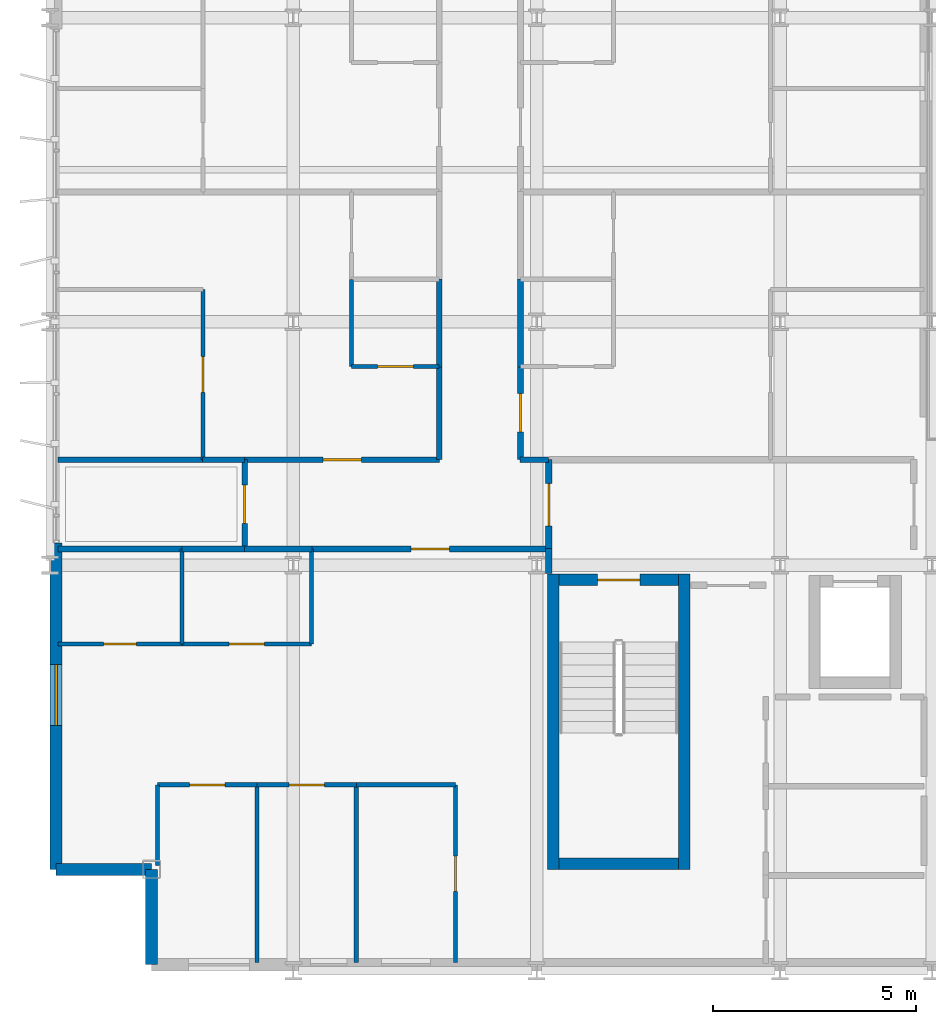
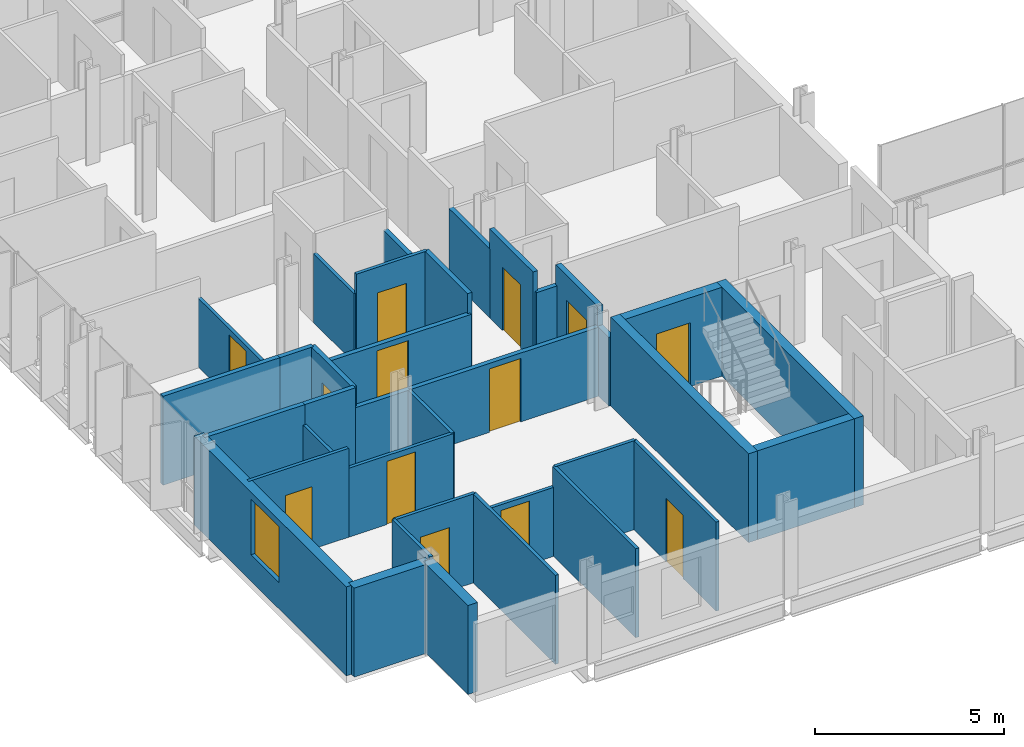
# One storey, part 27 of 39: 36 walls, 13 doors, 1 window, 14 openings.
"""IFC4 building model written with IfcOpenShell, lengths in metres."""

from ifc_helpers import new_model, si_unit, direction, frame, frame_2d, origin, place, context, subcontext, project, spatial, rectangle, extrude, material, layer, layer_set, type_object, element, fill, save


model = new_model("IFC4")

# Units and contexts
model_context = context("Model", 3, precision=1e-05, world=origin(), true_north=direction((0.0, 1.0)))
body_context = subcontext(model_context, "Body", "Model", "MODEL_VIEW")
ifc_project = project(units=[si_unit("LENGTHUNIT", "METRE"), si_unit("AREAUNIT", "SQUARE_METRE"), si_unit("VOLUMEUNIT", "CUBIC_METRE"), si_unit("PLANEANGLEUNIT", "RADIAN"), si_unit("MASSUNIT", "GRAM", prefix="KILO")], contexts=[model_context])

# Site, building, storey
site_placement = place(None, origin())
site = spatial("IfcSite", under=ifc_project, at=site_placement, CompositionType="ELEMENT")
building_placement = place(site_placement, origin())
building = spatial("IfcBuilding", under=site, at=building_placement, Name="Brevholm Reach", CompositionType="ELEMENT")
storey_placement = place(building_placement, frame((0.0, 0.0, 77.60009765625)))
storey = spatial("IfcBuildingStorey", under=building, at=storey_placement, Name="L22", CompositionType="ELEMENT", Elevation=77.60009765625)

# Walls
ifc_material_1 = material(Name="Concrete C50/60", Category="concrete")
ifc_layer_1 = layer(ifc_material_1, 0.280029296875)
ifc_layer_set_1 = layer_set([ifc_layer_1], Name="Concrete C50/60")
wall_type_1 = type_object("IfcWallType", Name="WAL-COR-280", PredefinedType="SHEAR", material=ifc_layer_set_1)
for number, where, z_axis, x_axis, name in (
    (1, (12.409912109375, 2.5, 0.0), (0.0, 0.0, 1.0), (0.0, 1.0, 0.0), "L22 Escape Stair ST-1 Core Wall W"),
    (2, (15.639892578125, 2.5, 0.0), (0.0, 0.0, 1.0), (0.0, 1.0, 0.0), "L22 Escape Stair ST-1 Core Wall E"),
):
    element("IfcWall", number, at=place(storey_placement, frame(where, z_axis=z_axis, x_axis=x_axis)), inside=storey, type_object=wall_type_1, Name=name, PredefinedType="SHEAR", context=body_context, shape_type="SweptSolid", body=[
        extrude(rectangle(XDim=7.280029296875, YDim=0.280029296875, at=frame_2d((3.64013671875, 0.0))), origin(), (0.0, 0.0, 1.0), 2.869873046875),
    ])
wall_1_placement = place(storey_placement, frame((12.550048828125, 2.639892578125, 0.0), z_axis=(0.0, 0.0, 1.0), x_axis=(1.0, 0.0, 0.0)))
element("IfcWall", 3, at=wall_1_placement, inside=storey, type_object=wall_type_1, Name="L22 Escape Stair ST-1 Core Wall S", PredefinedType="SHEAR", context=body_context, shape_type="SweptSolid", body=[
    extrude(rectangle(XDim=2.949951171875, YDim=0.280029296875, at=frame_2d((1.47509765625, 0.0))), origin(), (0.0, 0.0, 1.0), 2.869873046875),
])

# Wall, opening, door
wall_2_placement = place(storey_placement, frame((15.5, 9.639892578125, 0.0), z_axis=(0.0, 0.0, 1.0), x_axis=(-1.0, 0.0, 0.0)))
wall_2 = element("IfcWall", 4, at=wall_2_placement, inside=storey, type_object=wall_type_1, Name="L22 Escape Stair ST-1 Core Wall N", PredefinedType="SHEAR", context=body_context, shape_type="SweptSolid", body=[
    extrude(rectangle(XDim=2.949951171875, YDim=0.280029296875, at=frame_2d((1.47509765625, 0.0))), origin(), (0.0, 0.0, 1.0), 2.869873046875),
])
opening_1_placement = place(wall_2_placement, frame((0.949951171875, 0.0, 0.0)))
opening_1 = element("IfcOpeningElement", 5, at=opening_1_placement, cuts=wall_2, Name="Opening SD-ST-1", PredefinedType="OPENING", context=body_context, shape_type="SweptSolid", body=[
    extrude(rectangle(XDim=1.050048828125, YDim=2.06005859375, at=frame_2d((0.52490234375, 1.030029296875))), frame((0.0, 0.14990234375, 0.0), z_axis=(0.0, -1.0, 0.0), x_axis=(1.0, 0.0, 0.0)), (0.0, 0.0, 1.0), 0.300048828125),
])
ifc_material_2 = material(Name="Hardwood-Lipped Steel-Core Fire and Smoke Door", Category="steel")
door_type_1 = type_object("IfcDoorType", Name="DOR-INT-FD60S", OperationType="NOTDEFINED", PredefinedType="DOOR", material=ifc_material_2)
door_1_placement = place(opening_1_placement, origin())
door_1 = element("IfcDoor", 6, at=door_1_placement, inside=storey, type_object=door_type_1, Name="L22 Protected Stair ST-1 Lobby Door", OperationType="SINGLE_SWING_RIGHT", OverallHeight=2.06005859375, OverallWidth=1.050048828125, PredefinedType="DOOR", context=body_context, shape_type="SweptSolid", body=[
    extrude(rectangle(XDim=1.050048828125, YDim=2.06005859375, at=frame_2d((0.52490234375, 1.030029296875))), frame((0.0, 0.02490234375, 0.0), z_axis=(0.0, -1.0, 0.0), x_axis=(1.0, 0.0, 0.0)), (0.0, 0.0, 1.0), 0.050048828125),
])
fill(opening_1, door_1)

# Walls
ifc_material_3 = material(Name="Concrete C40/50", Category="concrete")
ifc_layer_2 = layer(ifc_material_3, 0.300048828125)
ifc_layer_set_2 = layer_set([ifc_layer_2], Name="Concrete C40/50")
wall_type_2 = type_object("IfcWallType", Name="WAL-EXT-300", PredefinedType="STANDARD", material=ifc_layer_set_2)
for number, where, z_axis, x_axis, name in (
    (7, (2.5, 2.5, 0.0), (0.0, 0.0, 1.0), (0.0, -1.0, 0.0), "L22 Facade Wall WAL-L22-CSW1"),
    (8, (0.14990234375, 2.5, 0.0), (0.0, 0.0, 1.0), (1.0, 0.0, 0.0), "L22 Facade Wall WAL-L22-CSW2"),
):
    element("IfcWall", number, at=place(storey_placement, frame(where, z_axis=z_axis, x_axis=x_axis)), inside=storey, type_object=wall_type_2, Name=name, PredefinedType="STANDARD", context=body_context, shape_type="SweptSolid", body=[
        extrude(rectangle(XDim=2.35009765625, YDim=0.300048828125, at=frame_2d((1.175048828125, 0.0))), origin(), (0.0, 0.0, 1.0), 2.869873046875),
    ])

# Wall, opening, window
wall_3_placement = place(storey_placement, frame((0.14990234375, 10.550048828125, 0.0), z_axis=(0.0, 0.0, 1.0), x_axis=(0.0, -1.0, 0.0)))
wall_3 = element("IfcWall", 9, at=wall_3_placement, inside=storey, type_object=wall_type_2, Name="L22 Facade Wall WAL-L22-W-S", PredefinedType="STANDARD", context=body_context, shape_type="SweptSolid", body=[
    extrude(rectangle(XDim=8.050048828125, YDim=0.300048828125, at=frame_2d((4.02490234375, 0.0))), origin(), (0.0, 0.0, 1.0), 2.869873046875),
])
opening_2_placement = place(wall_3_placement, frame((3.0, 0.0, 0.85009765625)))
opening_2 = element("IfcOpeningElement", 10, at=opening_2_placement, cuts=wall_3, Name="Opening WN-05", PredefinedType="OPENING", context=body_context, shape_type="SweptSolid", body=[
    extrude(rectangle(XDim=1.5, YDim=1.800048828125, at=frame_2d((0.75, 0.89990234375))), frame((0.0, 0.159912109375, 0.0), z_axis=(0.0, -1.0, 0.0), x_axis=(1.0, 0.0, 0.0)), (0.0, 0.0, 1.0), 0.320068359375),
])
ifc_material_4 = material(Name="Dark Anodised Aluminium and Solar-Control IGU Glass", Category="aluminium")
window_type = type_object("IfcWindowType", Name="WIN-RES-1500", PartitioningType="SINGLE_PANEL", PredefinedType="WINDOW", material=ifc_material_4)
window_placement = place(opening_2_placement, origin())
window = element("IfcWindow", 11, at=window_placement, inside=storey, type_object=window_type, Name="L22 Window WIN-L22-WS-1", OverallHeight=1.800048828125, OverallWidth=1.5, PartitioningType="SINGLE_PANEL", PredefinedType="WINDOW", context=body_context, shape_type="SweptSolid", body=[
    extrude(rectangle(XDim=1.5, YDim=1.800048828125, at=frame_2d((0.75, 0.89990234375))), frame((0.0, 0.030029296875, 0.0), z_axis=(0.0, -1.0, 0.0), x_axis=(1.0, 0.0, 0.0)), (0.0, 0.0, 1.0), 0.06005859375),
])
fill(opening_2, window)

# Wall
ifc_material_5 = material(Name="Moisture-Resistant Acoustic Gypsum Stud Partition 100 mm", Category="gypsum")
ifc_layer_3 = layer(ifc_material_5, 0.10009765625)
ifc_layer_set_3 = layer_set([ifc_layer_3], Name="Moisture-Resistant Acoustic Gypsum Stud Partition 100 mm")
wall_type_3 = type_object("IfcWallType", Name="WAL-PRT-100", PredefinedType="PARTITIONING", material=ifc_layer_set_3)
wall_4_placement = place(storey_placement, frame((3.25, 8.053955078125, 0.0), z_axis=(0.0, 0.0, 1.0), x_axis=(0.0, 1.0, 0.0)))
element("IfcWall", 12, at=wall_4_placement, inside=storey, type_object=wall_type_3, Name="L22 Internal Partition 064", PredefinedType="PARTITIONING", context=body_context, shape_type="SweptSolid", body=[
    extrude(rectangle(XDim=2.345947265625, YDim=0.10009765625, at=frame_2d((1.1728515625, 0.0))), origin(), (0.0, 0.0, 1.0), 2.224609375),
])

# Wall, opening, door
wall_5_placement = place(storey_placement, frame((0.199951171875, 8.053955078125, 0.0), z_axis=(0.0, 0.0, 1.0), x_axis=(1.0, 0.0, 0.0)))
wall_5 = element("IfcWall", 13, at=wall_5_placement, inside=storey, type_object=wall_type_3, Name="L22 Internal Partition 065", PredefinedType="PARTITIONING", context=body_context, shape_type="SweptSolid", body=[
    extrude(rectangle(XDim=3.050048828125, YDim=0.10009765625, at=frame_2d((1.52490234375, 0.0))), origin(), (0.0, 0.0, 1.0), 2.869873046875),
])
opening_3_placement = place(wall_5_placement, frame((1.114990234375, 0.0, 0.0)))
opening_3 = element("IfcOpeningElement", 14, at=opening_3_placement, cuts=wall_5, Name="Opening ID-03", PredefinedType="OPENING", context=body_context, shape_type="SweptSolid", body=[
    extrude(rectangle(XDim=0.820068359375, YDim=2.02001953125, at=frame_2d((0.41015625, 1.010009765625))), frame((0.0, 0.06005859375, 0.0), z_axis=(0.0, -1.0, 0.0), x_axis=(1.0, 0.0, 0.0)), (0.0, 0.0, 1.0), 0.1201171875),
])
ifc_material_6 = material(Name="Moisture-Resistant Painted Timber Internal Bathroom Door", Category="wood")
door_type_2 = type_object("IfcDoorType", Name="DOR-BATH-820", OperationType="NOTDEFINED", PredefinedType="DOOR", material=ifc_material_6)
door_2_placement = place(opening_3_placement, origin())
door_2 = element("IfcDoor", 15, at=door_2_placement, inside=storey, type_object=door_type_2, Name="L22 Internal Door 027", OperationType="SINGLE_SWING_RIGHT", OverallHeight=2.02001953125, OverallWidth=0.820068359375, PredefinedType="DOOR", context=body_context, shape_type="SweptSolid", body=[
    extrude(rectangle(XDim=0.820068359375, YDim=2.02001953125, at=frame_2d((0.41015625, 1.010009765625))), frame((0.0, 0.02490234375, 0.0), z_axis=(0.0, -1.0, 0.0), x_axis=(1.0, 0.0, 0.0)), (0.0, 0.0, 1.0), 0.050048828125),
])
fill(opening_3, door_2)

wall_6_placement = place(storey_placement, frame((3.25390625, 8.053955078125, 0.0), z_axis=(0.0, 0.0, 1.0), x_axis=(1.0, 0.0, 0.0)))
wall_6 = element("IfcWall", 16, at=wall_6_placement, inside=storey, type_object=wall_type_3, Name="L22 Internal Partition 067", PredefinedType="PARTITIONING", context=body_context, shape_type="SweptSolid", body=[
    extrude(rectangle(XDim=3.196044921875, YDim=0.10009765625, at=frame_2d((1.59814453125, 0.0))), origin(), (0.0, 0.0, 1.0), 2.224609375),
])
opening_4_placement = place(wall_6_placement, frame((1.157958984375, 0.0, 0.0)))
opening_4 = element("IfcOpeningElement", 17, at=opening_4_placement, cuts=wall_6, Name="Opening ID-01", PredefinedType="OPENING", context=body_context, shape_type="SweptSolid", body=[
    extrude(rectangle(XDim=0.8798828125, YDim=2.0400390625, at=frame_2d((0.43994140625, 1.02001953125))), frame((0.0, 0.06005859375, 0.0), z_axis=(0.0, -1.0, 0.0), x_axis=(1.0, 0.0, 0.0)), (0.0, 0.0, 1.0), 0.1201171875),
])
ifc_material_7 = material(Name="Lacquered Ash Solid-Core Acoustic Internal Door", Category="timber")
door_type_3 = type_object("IfcDoorType", Name="DOR-INT-880", OperationType="NOTDEFINED", PredefinedType="DOOR", material=ifc_material_7)
door_3_placement = place(opening_4_placement, origin())
door_3 = element("IfcDoor", 18, at=door_3_placement, inside=storey, type_object=door_type_3, Name="L22 Internal Door 028", OperationType="SINGLE_SWING_LEFT", OverallHeight=2.0400390625, OverallWidth=0.8798828125, PredefinedType="DOOR", context=body_context, shape_type="SweptSolid", body=[
    extrude(rectangle(XDim=0.8798828125, YDim=2.0400390625, at=frame_2d((0.43994140625, 1.02001953125))), frame((0.0, 0.02490234375, 0.0), z_axis=(0.0, -1.0, 0.0), x_axis=(1.0, 0.0, 0.0)), (0.0, 0.0, 1.0), 0.050048828125),
])
fill(opening_4, door_3)

# Walls
wall_7_placement = place(storey_placement, frame((6.449951171875, 8.053955078125, 0.0), z_axis=(0.0, 0.0, 1.0), x_axis=(0.0, 1.0, 0.0)))
element("IfcWall", 19, at=wall_7_placement, inside=storey, type_object=wall_type_3, Name="L22 Internal Partition 068", PredefinedType="PARTITIONING", context=body_context, shape_type="SweptSolid", body=[
    extrude(rectangle(XDim=2.342041015625, YDim=0.10009765625, at=frame_2d((1.1708984375, 0.0))), origin(), (0.0, 0.0, 1.0), 2.224609375),
])
wall_8_placement = place(storey_placement, frame((5.10009765625, 0.199951171875, 0.0), z_axis=(0.0, 0.0, 1.0), x_axis=(0.0, 1.0, 0.0)))
element("IfcWall", 20, at=wall_8_placement, inside=storey, type_object=wall_type_3, Name="L22 Internal Partition 070", PredefinedType="PARTITIONING", context=body_context, shape_type="SweptSolid", body=[
    extrude(rectangle(XDim=4.385986328125, YDim=0.10009765625, at=frame_2d((2.19287109375, 0.0))), origin(), (0.0, 0.0, 1.0), 2.869873046875),
])
wall_9_placement = place(storey_placement, frame((2.64990234375, 2.599365234375, 0.0), z_axis=(0.0, 0.0, 1.0), x_axis=(0.0, 1.0, 0.0)))
element("IfcWall", 21, at=wall_9_placement, inside=storey, type_object=wall_type_3, Name="L22 Internal Partition 071", PredefinedType="PARTITIONING", context=body_context, shape_type="SweptSolid", body=[
    extrude(rectangle(XDim=1.986572265625, YDim=0.10009765625, at=frame_2d((0.9931640625, 0.0))), origin(), (0.0, 0.0, 1.0), 2.869873046875),
])

# Wall, opening, door
wall_10_placement = place(storey_placement, frame((2.64990234375, 4.5859375, 0.0), z_axis=(0.0, 0.0, 1.0), x_axis=(1.0, 0.0, 0.0)))
wall_10 = element("IfcWall", 22, at=wall_10_placement, inside=storey, type_object=wall_type_3, Name="L22 Internal Partition 072", PredefinedType="PARTITIONING", context=body_context, shape_type="SweptSolid", body=[
    extrude(rectangle(XDim=2.4501953125, YDim=0.10009765625, at=frame_2d((1.22509765625, 0.0))), origin(), (0.0, 0.0, 1.0), 2.869873046875),
])
opening_5_placement = place(wall_10_placement, frame((0.784912109375, 0.0, 0.0)))
opening_5 = element("IfcOpeningElement", 23, at=opening_5_placement, cuts=wall_10, Name="Opening ID-01", PredefinedType="OPENING", context=body_context, shape_type="SweptSolid", body=[
    extrude(rectangle(XDim=0.8798828125, YDim=2.0400390625, at=frame_2d((0.43994140625, 1.02001953125))), frame((0.0, 0.06005859375, 0.0), z_axis=(0.0, -1.0, 0.0), x_axis=(1.0, 0.0, 0.0)), (0.0, 0.0, 1.0), 0.1201171875),
])
door_4_placement = place(opening_5_placement, origin())
door_4 = element("IfcDoor", 24, at=door_4_placement, inside=storey, type_object=door_type_3, Name="L22 Internal Door 029", OperationType="SINGLE_SWING_RIGHT", OverallHeight=2.0400390625, OverallWidth=0.8798828125, PredefinedType="DOOR", context=body_context, shape_type="SweptSolid", body=[
    extrude(rectangle(XDim=0.8798828125, YDim=2.0400390625, at=frame_2d((0.43994140625, 1.02001953125))), frame((0.0, 0.02490234375, 0.0), z_axis=(0.0, -1.0, 0.0), x_axis=(1.0, 0.0, 0.0)), (0.0, 0.0, 1.0), 0.050048828125),
])
fill(opening_5, door_4)

# Wall
wall_11_placement = place(storey_placement, frame((7.550048828125, 0.199951171875, 0.0), z_axis=(0.0, 0.0, 1.0), x_axis=(0.0, 1.0, 0.0)))
element("IfcWall", 25, at=wall_11_placement, inside=storey, type_object=wall_type_3, Name="L22 Internal Partition 073", PredefinedType="PARTITIONING", context=body_context, shape_type="SweptSolid", body=[
    extrude(rectangle(XDim=4.385986328125, YDim=0.10009765625, at=frame_2d((2.19287109375, 0.0))), origin(), (0.0, 0.0, 1.0), 2.869873046875),
])

# Wall, opening, door
wall_12_placement = place(storey_placement, frame((5.10400390625, 4.5859375, 0.0), z_axis=(0.0, 0.0, 1.0), x_axis=(1.0, 0.0, 0.0)))
wall_12 = element("IfcWall", 26, at=wall_12_placement, inside=storey, type_object=wall_type_3, Name="L22 Internal Partition 074", PredefinedType="PARTITIONING", context=body_context, shape_type="SweptSolid", body=[
    extrude(rectangle(XDim=2.446044921875, YDim=0.10009765625, at=frame_2d((1.22314453125, 0.0))), origin(), (0.0, 0.0, 1.0), 2.224609375),
])
opening_6_placement = place(wall_12_placement, frame((0.782958984375, 0.0, 0.0)))
opening_6 = element("IfcOpeningElement", 27, at=opening_6_placement, cuts=wall_12, Name="Opening ID-01", PredefinedType="OPENING", context=body_context, shape_type="SweptSolid", body=[
    extrude(rectangle(XDim=0.8798828125, YDim=2.0400390625, at=frame_2d((0.43994140625, 1.02001953125))), frame((0.0, 0.06005859375, 0.0), z_axis=(0.0, -1.0, 0.0), x_axis=(1.0, 0.0, 0.0)), (0.0, 0.0, 1.0), 0.1201171875),
])
door_5_placement = place(opening_6_placement, origin())
door_5 = element("IfcDoor", 28, at=door_5_placement, inside=storey, type_object=door_type_3, Name="L22 Internal Door 030", OperationType="SINGLE_SWING_LEFT", OverallHeight=2.0400390625, OverallWidth=0.8798828125, PredefinedType="DOOR", context=body_context, shape_type="SweptSolid", body=[
    extrude(rectangle(XDim=0.8798828125, YDim=2.0400390625, at=frame_2d((0.43994140625, 1.02001953125))), frame((0.0, 0.02490234375, 0.0), z_axis=(0.0, -1.0, 0.0), x_axis=(1.0, 0.0, 0.0)), (0.0, 0.0, 1.0), 0.050048828125),
])
fill(opening_6, door_5)

wall_13_placement = place(storey_placement, frame((10.0, 0.199951171875, 0.0), z_axis=(0.0, 0.0, 1.0), x_axis=(0.0, 1.0, 0.0)))
wall_13 = element("IfcWall", 29, at=wall_13_placement, inside=storey, type_object=wall_type_3, Name="L22 Internal Partition 075", PredefinedType="PARTITIONING", context=body_context, shape_type="SweptSolid", body=[
    extrude(rectangle(XDim=4.385986328125, YDim=0.10009765625, at=frame_2d((2.19287109375, 0.0))), origin(), (0.0, 0.0, 1.0), 2.869873046875),
])
opening_7_placement = place(wall_13_placement, frame((1.7529296875, 0.0, 0.0)))
opening_7 = element("IfcOpeningElement", 30, at=opening_7_placement, cuts=wall_13, Name="Opening ID-01", PredefinedType="OPENING", context=body_context, shape_type="SweptSolid", body=[
    extrude(rectangle(XDim=0.8798828125, YDim=2.0400390625, at=frame_2d((0.43994140625, 1.02001953125))), frame((0.0, 0.06005859375, 0.0), z_axis=(0.0, -1.0, 0.0), x_axis=(1.0, 0.0, 0.0)), (0.0, 0.0, 1.0), 0.1201171875),
])
door_6_placement = place(opening_7_placement, origin())
door_6 = element("IfcDoor", 31, at=door_6_placement, inside=storey, type_object=door_type_3, Name="L22 Internal Door 031", OperationType="SINGLE_SWING_RIGHT", OverallHeight=2.0400390625, OverallWidth=0.8798828125, PredefinedType="DOOR", context=body_context, shape_type="SweptSolid", body=[
    extrude(rectangle(XDim=0.8798828125, YDim=2.0400390625, at=frame_2d((0.43994140625, 1.02001953125))), frame((0.0, 0.02490234375, 0.0), z_axis=(0.0, -1.0, 0.0), x_axis=(1.0, 0.0, 0.0)), (0.0, 0.0, 1.0), 0.050048828125),
])
fill(opening_7, door_6)

# Wall
wall_14_placement = place(storey_placement, frame((7.553955078125, 4.5859375, 0.0), z_axis=(0.0, 0.0, 1.0), x_axis=(1.0, 0.0, 0.0)))
element("IfcWall", 32, at=wall_14_placement, inside=storey, type_object=wall_type_3, Name="L22 Internal Partition 076", PredefinedType="PARTITIONING", context=body_context, shape_type="SweptSolid", body=[
    extrude(rectangle(XDim=2.446044921875, YDim=0.10009765625, at=frame_2d((1.22314453125, 0.0))), origin(), (0.0, 0.0, 1.0), 2.869873046875),
])

# Wall, opening, door
wall_15_placement = place(storey_placement, frame((7.43798828125, 14.89990234375, 0.0), z_axis=(0.0, 0.0, 1.0), x_axis=(1.0, 0.0, 0.0)))
wall_15 = element("IfcWall", 33, at=wall_15_placement, inside=storey, type_object=wall_type_3, Name="L22 Internal Partition 094", PredefinedType="PARTITIONING", context=body_context, shape_type="SweptSolid", body=[
    extrude(rectangle(XDim=2.157958984375, YDim=0.10009765625, at=frame_2d((1.0791015625, 0.0))), origin(), (0.0, 0.0, 1.0), 2.869873046875),
])
opening_8_placement = place(wall_15_placement, frame((0.638916015625, 0.0, 0.0)))
opening_8 = element("IfcOpeningElement", 34, at=opening_8_placement, cuts=wall_15, Name="Opening ID-01", PredefinedType="OPENING", context=body_context, shape_type="SweptSolid", body=[
    extrude(rectangle(XDim=0.8798828125, YDim=2.0400390625, at=frame_2d((0.43994140625, 1.02001953125))), frame((0.0, 0.06005859375, 0.0), z_axis=(0.0, -1.0, 0.0), x_axis=(1.0, 0.0, 0.0)), (0.0, 0.0, 1.0), 0.1201171875),
])
door_7_placement = place(opening_8_placement, origin())
door_7 = element("IfcDoor", 35, at=door_7_placement, inside=storey, type_object=door_type_3, Name="L22 Internal Door 037", OperationType="SINGLE_SWING_RIGHT", OverallHeight=2.0400390625, OverallWidth=0.8798828125, PredefinedType="DOOR", context=body_context, shape_type="SweptSolid", body=[
    extrude(rectangle(XDim=0.8798828125, YDim=2.0400390625, at=frame_2d((0.43994140625, 1.02001953125))), frame((0.0, 0.02490234375, 0.0), z_axis=(0.0, -1.0, 0.0), x_axis=(1.0, 0.0, 0.0)), (0.0, 0.0, 1.0), 0.050048828125),
])
fill(opening_8, door_7)

# Wall
wall_16_placement = place(storey_placement, frame((7.43798828125, 14.89990234375, 0.0), z_axis=(0.0, 0.0, 1.0), x_axis=(0.0, 1.0, 0.0)))
element("IfcWall", 36, at=wall_16_placement, inside=storey, type_object=wall_type_3, Name="L22 Internal Partition 095", PredefinedType="PARTITIONING", context=body_context, shape_type="SweptSolid", body=[
    extrude(rectangle(XDim=2.14599609375, YDim=0.10009765625, at=frame_2d((1.072998046875, 0.0))), origin(), (0.0, 0.0, 1.0), 2.224609375),
])

# Wall, opening, door
wall_17_placement = place(storey_placement, frame((3.77197265625, 12.60400390625, 0.0), z_axis=(0.0, 0.0, 1.0), x_axis=(0.0, 1.0, 0.0)))
wall_17 = element("IfcWall", 37, at=wall_17_placement, inside=storey, type_object=wall_type_3, Name="L22 Internal Partition 096", PredefinedType="PARTITIONING", context=body_context, shape_type="SweptSolid", body=[
    extrude(rectangle(XDim=4.196044921875, YDim=0.10009765625, at=frame_2d((2.09814453125, 0.0))), origin(), (0.0, 0.0, 1.0), 2.224609375),
])
opening_9_placement = place(wall_17_placement, frame((1.657958984375, 0.0, 0.0)))
opening_9 = element("IfcOpeningElement", 38, at=opening_9_placement, cuts=wall_17, Name="Opening ID-01", PredefinedType="OPENING", context=body_context, shape_type="SweptSolid", body=[
    extrude(rectangle(XDim=0.8798828125, YDim=2.0400390625, at=frame_2d((0.43994140625, 1.02001953125))), frame((0.0, 0.06005859375, 0.0), z_axis=(0.0, -1.0, 0.0), x_axis=(1.0, 0.0, 0.0)), (0.0, 0.0, 1.0), 0.1201171875),
])
door_8_placement = place(opening_9_placement, origin())
door_8 = element("IfcDoor", 39, at=door_8_placement, inside=storey, type_object=door_type_3, Name="L22 Internal Door 038", OperationType="SINGLE_SWING_LEFT", OverallHeight=2.0400390625, OverallWidth=0.8798828125, PredefinedType="DOOR", context=body_context, shape_type="SweptSolid", body=[
    extrude(rectangle(XDim=0.8798828125, YDim=2.0400390625, at=frame_2d((0.43994140625, 1.02001953125))), frame((0.0, 0.02490234375, 0.0), z_axis=(0.0, -1.0, 0.0), x_axis=(1.0, 0.0, 0.0)), (0.0, 0.0, 1.0), 0.050048828125),
])
fill(opening_9, door_8)

# Wall
ifc_material_8 = material(Name="Twin-Stud Acoustic Fire-Rated Gypsum Partition 140 mm", Category="gypsum")
ifc_layer_4 = layer(ifc_material_8, 0.139892578125)
ifc_layer_set_4 = layer_set([ifc_layer_4], Name="Twin-Stud Acoustic Fire-Rated Gypsum Partition 140 mm")
wall_type_4 = type_object("IfcWallType", Name="WAL-PRT-140", PredefinedType="PARTITIONING", material=ifc_layer_set_4)
wall_18_placement = place(storey_placement, frame((4.800048828125, 10.39990234375, 0.0), z_axis=(0.0, 0.0, 1.0), x_axis=(1.0, 0.0, 0.0)))
element("IfcWall", 40, at=wall_18_placement, inside=storey, type_object=wall_type_4, Name="L22 Internal Partition 025", PredefinedType="PARTITIONING", context=body_context, shape_type="SweptSolid", body=[
    extrude(rectangle(XDim=1.6611328125, YDim=0.139892578125, at=frame_2d((0.83056640625, 0.0))), origin(), (0.0, 0.0, 1.0), 2.224609375),
])

# Wall, opening, door
wall_19_placement = place(storey_placement, frame((6.442626953125, 10.39990234375, 0.0), z_axis=(0.0, 0.0, 1.0), x_axis=(1.0, 0.0, 0.0)))
wall_19 = element("IfcWall", 41, at=wall_19_placement, inside=storey, type_object=wall_type_4, Name="L22 Internal Partition 026", PredefinedType="PARTITIONING", context=body_context, shape_type="SweptSolid", body=[
    extrude(rectangle(XDim=5.853271484375, YDim=0.139892578125, at=frame_2d((2.9267578125, 0.0))), origin(), (0.0, 0.0, 1.0), 2.224609375),
])
opening_10_placement = place(wall_19_placement, frame((2.45166015625, 0.0, 0.0)))
opening_10 = element("IfcOpeningElement", 42, at=opening_10_placement, cuts=wall_19, Name="Opening ID-30", PredefinedType="OPENING", context=body_context, shape_type="SweptSolid", body=[
    extrude(rectangle(XDim=0.949951171875, YDim=2.050048828125, at=frame_2d((0.47509765625, 1.02490234375))), frame((0.0, 0.079833984375, 0.0), z_axis=(0.0, -1.0, 0.0), x_axis=(1.0, 0.0, 0.0)), (0.0, 0.0, 1.0), 0.159912109375),
])
ifc_material_9 = material(Name="European Oak Veneered Solid-Core Fire Entrance Door", Category="timber")
door_type_4 = type_object("IfcDoorType", Name="DOR-FLT-FD30S", OperationType="NOTDEFINED", PredefinedType="DOOR", material=ifc_material_9)
door_9_placement = place(opening_10_placement, origin())
door_9 = element("IfcDoor", 43, at=door_9_placement, inside=storey, type_object=door_type_4, Name="L22 Internal Door 015", OperationType="SINGLE_SWING_RIGHT", OverallHeight=2.050048828125, OverallWidth=0.949951171875, PredefinedType="DOOR", context=body_context, shape_type="SweptSolid", body=[
    extrude(rectangle(XDim=0.949951171875, YDim=2.050048828125, at=frame_2d((0.47509765625, 1.02490234375))), frame((0.0, 0.02490234375, 0.0), z_axis=(0.0, -1.0, 0.0), x_axis=(1.0, 0.0, 0.0)), (0.0, 0.0, 1.0), 0.050048828125),
])
fill(opening_10, door_9)

wall_20_placement = place(storey_placement, frame((4.800048828125, 10.39990234375, 0.0), z_axis=(0.0, 0.0, 1.0), x_axis=(0.0, 1.0, 0.0)))
wall_20 = element("IfcWall", 44, at=wall_20_placement, inside=storey, type_object=wall_type_4, Name="L22 Internal Partition 027", PredefinedType="PARTITIONING", context=body_context, shape_type="SweptSolid", body=[
    extrude(rectangle(XDim=2.2001953125, YDim=0.139892578125, at=frame_2d((1.10009765625, 0.0))), origin(), (0.0, 0.0, 1.0), 2.869873046875),
])
opening_11_placement = place(wall_20_placement, frame((0.625, 0.0, 0.0)))
opening_11 = element("IfcOpeningElement", 45, at=opening_11_placement, cuts=wall_20, Name="Opening ID-30", PredefinedType="OPENING", context=body_context, shape_type="SweptSolid", body=[
    extrude(rectangle(XDim=0.949951171875, YDim=2.050048828125, at=frame_2d((0.47509765625, 1.02490234375))), frame((0.0, 0.079833984375, 0.0), z_axis=(0.0, -1.0, 0.0), x_axis=(1.0, 0.0, 0.0)), (0.0, 0.0, 1.0), 0.159912109375),
])
door_10_placement = place(opening_11_placement, origin())
door_10 = element("IfcDoor", 46, at=door_10_placement, inside=storey, type_object=door_type_4, Name="L22 Internal Door 016", OperationType="SINGLE_SWING_LEFT", OverallHeight=2.050048828125, OverallWidth=0.949951171875, PredefinedType="DOOR", context=body_context, shape_type="SweptSolid", body=[
    extrude(rectangle(XDim=0.949951171875, YDim=2.050048828125, at=frame_2d((0.47509765625, 1.02490234375))), frame((0.0, 0.02490234375, 0.0), z_axis=(0.0, -1.0, 0.0), x_axis=(1.0, 0.0, 0.0)), (0.0, 0.0, 1.0), 0.050048828125),
])
fill(opening_11, door_10)

wall_21_placement = place(storey_placement, frame((4.800048828125, 12.60009765625, 0.0), z_axis=(0.0, 0.0, 1.0), x_axis=(1.0, 0.0, 0.0)))
wall_21 = element("IfcWall", 47, at=wall_21_placement, inside=storey, type_object=wall_type_4, Name="L22 Internal Partition 028", PredefinedType="PARTITIONING", context=body_context, shape_type="SweptSolid", body=[
    extrude(rectangle(XDim=4.807373046875, YDim=0.139892578125, at=frame_2d((2.40380859375, 0.0))), origin(), (0.0, 0.0, 1.0), 2.224609375),
])
opening_12_placement = place(wall_21_placement, frame((1.9287109375, 0.0, 0.0)))
opening_12 = element("IfcOpeningElement", 48, at=opening_12_placement, cuts=wall_21, Name="Opening ID-30", PredefinedType="OPENING", context=body_context, shape_type="SweptSolid", body=[
    extrude(rectangle(XDim=0.949951171875, YDim=2.050048828125, at=frame_2d((0.47509765625, 1.02490234375))), frame((0.0, 0.079833984375, 0.0), z_axis=(0.0, -1.0, 0.0), x_axis=(1.0, 0.0, 0.0)), (0.0, 0.0, 1.0), 0.159912109375),
])
door_11_placement = place(opening_12_placement, origin())
door_11 = element("IfcDoor", 49, at=door_11_placement, inside=storey, type_object=door_type_4, Name="L22 Internal Door 017", OperationType="SINGLE_SWING_RIGHT", OverallHeight=2.050048828125, OverallWidth=0.949951171875, PredefinedType="DOOR", context=body_context, shape_type="SweptSolid", body=[
    extrude(rectangle(XDim=0.949951171875, YDim=2.050048828125, at=frame_2d((0.47509765625, 1.02490234375))), frame((0.0, 0.02490234375, 0.0), z_axis=(0.0, -1.0, 0.0), x_axis=(1.0, 0.0, 0.0)), (0.0, 0.0, 1.0), 0.050048828125),
])
fill(opening_12, door_11)

# Walls
wall_22_placement = place(storey_placement, frame((11.5927734375, 12.60009765625, 0.0), z_axis=(0.0, 0.0, 1.0), x_axis=(1.0, 0.0, 0.0)))
element("IfcWall", 50, at=wall_22_placement, inside=storey, type_object=wall_type_4, Name="L22 Internal Partition 029", PredefinedType="PARTITIONING", context=body_context, shape_type="SweptSolid", body=[
    extrude(rectangle(XDim=0.703125, YDim=0.139892578125, at=frame_2d((0.3515625, 0.0))), origin(), (0.0, 0.0, 1.0), 2.224609375),
])
wall_23_placement = place(storey_placement, frame((9.60009765625, 14.888671875, 0.0), z_axis=(0.0, 0.0, 1.0), x_axis=(0.0, 1.0, 0.0)))
element("IfcWall", 51, at=wall_23_placement, inside=storey, type_object=wall_type_4, Name="L22 Internal Partition 034", PredefinedType="PARTITIONING", context=body_context, shape_type="SweptSolid", body=[
    extrude(rectangle(XDim=2.168701171875, YDim=0.139892578125, at=frame_2d((1.08447265625, 0.0))), origin(), (0.0, 0.0, 1.0), 2.224609375),
])
wall_24_placement = place(storey_placement, frame((9.60009765625, 12.60400390625, 0.0), z_axis=(0.0, 0.0, 1.0), x_axis=(0.0, 1.0, 0.0)))
element("IfcWall", 52, at=wall_24_placement, inside=storey, type_object=wall_type_4, Name="L22 Internal Partition 035", PredefinedType="PARTITIONING", context=body_context, shape_type="SweptSolid", body=[
    extrude(rectangle(XDim=2.30322265625, YDim=0.139892578125, at=frame_2d((1.151611328125, 0.0))), origin(), (0.0, 0.0, 1.0), 2.869873046875),
])
wall_25_placement = place(storey_placement, frame((11.60009765625, 14.888671875, 0.0), z_axis=(0.0, 0.0, 1.0), x_axis=(0.0, 1.0, 0.0)))
element("IfcWall", 53, at=wall_25_placement, inside=storey, type_object=wall_type_4, Name="L22 Internal Partition 040", PredefinedType="PARTITIONING", context=body_context, shape_type="SweptSolid", body=[
    extrude(rectangle(XDim=2.168701171875, YDim=0.139892578125, at=frame_2d((1.08447265625, 0.0))), origin(), (0.0, 0.0, 1.0), 2.224609375),
])

# Wall, opening, door
wall_26_placement = place(storey_placement, frame((11.60009765625, 12.60400390625, 0.0), z_axis=(0.0, 0.0, 1.0), x_axis=(0.0, 1.0, 0.0)))
wall_26 = element("IfcWall", 54, at=wall_26_placement, inside=storey, type_object=wall_type_4, Name="L22 Internal Partition 041", PredefinedType="PARTITIONING", context=body_context, shape_type="SweptSolid", body=[
    extrude(rectangle(XDim=2.30322265625, YDim=0.139892578125, at=frame_2d((1.151611328125, 0.0))), origin(), (0.0, 0.0, 1.0), 2.869873046875),
])
opening_13_placement = place(wall_26_placement, frame((0.6767578125, 0.0, 0.0)))
opening_13 = element("IfcOpeningElement", 55, at=opening_13_placement, cuts=wall_26, Name="Opening ID-30", PredefinedType="OPENING", context=body_context, shape_type="SweptSolid", body=[
    extrude(rectangle(XDim=0.949951171875, YDim=2.050048828125, at=frame_2d((0.47509765625, 1.02490234375))), frame((0.0, 0.079833984375, 0.0), z_axis=(0.0, -1.0, 0.0), x_axis=(1.0, 0.0, 0.0)), (0.0, 0.0, 1.0), 0.159912109375),
])
door_12_placement = place(opening_13_placement, origin())
door_12 = element("IfcDoor", 56, at=door_12_placement, inside=storey, type_object=door_type_4, Name="L22 Internal Door 019", OperationType="SINGLE_SWING_RIGHT", OverallHeight=2.050048828125, OverallWidth=0.949951171875, PredefinedType="DOOR", context=body_context, shape_type="SweptSolid", body=[
    extrude(rectangle(XDim=0.949951171875, YDim=2.050048828125, at=frame_2d((0.47509765625, 1.02490234375))), frame((0.0, 0.02490234375, 0.0), z_axis=(0.0, -1.0, 0.0), x_axis=(1.0, 0.0, 0.0)), (0.0, 0.0, 1.0), 0.050048828125),
])
fill(opening_13, door_12)

# Walls
wall_27_placement = place(storey_placement, frame((0.199951171875, 10.39990234375, 0.0), z_axis=(0.0, 0.0, 1.0), x_axis=(1.0, 0.0, 0.0)))
element("IfcWall", 57, at=wall_27_placement, inside=storey, type_object=wall_type_4, Name="L22 Internal Partition 066", PredefinedType="PARTITIONING", context=body_context, shape_type="SweptSolid", body=[
    extrude(rectangle(XDim=3.050048828125, YDim=0.139892578125, at=frame_2d((1.52490234375, 0.0))), origin(), (0.0, 0.0, 1.0), 2.869873046875),
])
wall_28_placement = place(storey_placement, frame((3.25390625, 10.39990234375, 0.0), z_axis=(0.0, 0.0, 1.0), x_axis=(1.0, 0.0, 0.0)))
element("IfcWall", 58, at=wall_28_placement, inside=storey, type_object=wall_type_4, Name="L22 Internal Partition 069", PredefinedType="PARTITIONING", context=body_context, shape_type="SweptSolid", body=[
    extrude(rectangle(XDim=1.5419921875, YDim=0.139892578125, at=frame_2d((0.77099609375, 0.0))), origin(), (0.0, 0.0, 1.0), 2.869873046875),
])
wall_29_placement = place(storey_placement, frame((0.199951171875, 12.60009765625, 0.0), z_axis=(0.0, 0.0, 1.0), x_axis=(1.0, 0.0, 0.0)))
element("IfcWall", 59, at=wall_29_placement, inside=storey, type_object=wall_type_4, Name="L22 Internal Partition 077", PredefinedType="PARTITIONING", context=body_context, shape_type="SweptSolid", body=[
    extrude(rectangle(XDim=3.583251953125, YDim=0.139892578125, at=frame_2d((1.79150390625, 0.0))), origin(), (0.0, 0.0, 1.0), 2.869873046875),
])
wall_30_placement = place(storey_placement, frame((3.7646484375, 12.60009765625, 0.0), z_axis=(0.0, 0.0, 1.0), x_axis=(1.0, 0.0, 0.0)))
element("IfcWall", 60, at=wall_30_placement, inside=storey, type_object=wall_type_4, Name="L22 Internal Partition 078", PredefinedType="PARTITIONING", context=body_context, shape_type="SweptSolid", body=[
    extrude(rectangle(XDim=1.03125, YDim=0.139892578125, at=frame_2d((0.515625, 0.0))), origin(), (0.0, 0.0, 1.0), 2.869873046875),
])

# Wall, opening, door
ifc_material_10 = material(Name="Twin-Frame Fire-Rated Gypsum Board and Mineral Wool 160 mm", Category="gypsum")
ifc_layer_5 = layer(ifc_material_10, 0.159912109375)
ifc_layer_set_5 = layer_set([ifc_layer_5], Name="Twin-Frame Fire-Rated Gypsum Board and Mineral Wool 160 mm")
wall_type_5 = type_object("IfcWallType", Name="WAL-PRT-160", PredefinedType="PARTITIONING", material=ifc_layer_set_5)
wall_31_placement = place(storey_placement, frame((12.300048828125, 10.388671875, 0.0), z_axis=(0.0, 0.0, 1.0), x_axis=(0.0, 1.0, 0.0)))
wall_31 = element("IfcWall", 61, at=wall_31_placement, inside=storey, type_object=wall_type_5, Name="L22 Internal Partition 017", PredefinedType="PARTITIONING", context=body_context, shape_type="SweptSolid", body=[
    extrude(rectangle(XDim=2.21142578125, YDim=0.159912109375, at=frame_2d((1.105712890625, 0.0))), origin(), (0.0, 0.0, 1.0), 2.869873046875),
])
opening_14_placement = place(wall_31_placement, frame((0.58056640625, 0.0, 0.0)))
opening_14 = element("IfcOpeningElement", 62, at=opening_14_placement, cuts=wall_31, Name="Opening FD-01", PredefinedType="OPENING", context=body_context, shape_type="SweptSolid", body=[
    extrude(rectangle(XDim=1.050048828125, YDim=2.06005859375, at=frame_2d((0.52490234375, 1.030029296875))), frame((0.0, 0.08984375, 0.0), z_axis=(0.0, -1.0, 0.0), x_axis=(1.0, 0.0, 0.0)), (0.0, 0.0, 1.0), 0.179931640625),
])
door_13_placement = place(opening_14_placement, origin())
door_13 = element("IfcDoor", 63, at=door_13_placement, inside=storey, type_object=door_type_1, Name="L22 Internal Door 011", OperationType="SINGLE_SWING_RIGHT", OverallHeight=2.06005859375, OverallWidth=1.050048828125, PredefinedType="DOOR", context=body_context, shape_type="SweptSolid", body=[
    extrude(rectangle(XDim=1.050048828125, YDim=2.06005859375, at=frame_2d((0.52490234375, 1.030029296875))), frame((0.0, 0.02490234375, 0.0), z_axis=(0.0, -1.0, 0.0), x_axis=(1.0, 0.0, 0.0)), (0.0, 0.0, 1.0), 0.050048828125),
])
fill(opening_14, door_13)

# Wall
wall_32_placement = place(storey_placement, frame((12.300048828125, 9.7900390625, 0.0), z_axis=(0.0, 0.0, 1.0), x_axis=(0.0, 1.0, 0.0)))
element("IfcWall", 64, at=wall_32_placement, inside=storey, type_object=wall_type_5, Name="L22 Internal Partition 019", PredefinedType="PARTITIONING", context=body_context, shape_type="SweptSolid", body=[
    extrude(rectangle(XDim=0.6171875, YDim=0.159912109375, at=frame_2d((0.30859375, 0.0))), origin(), (0.0, 0.0, 1.0), 2.224609375),
])

save(model, "model.ifc")
